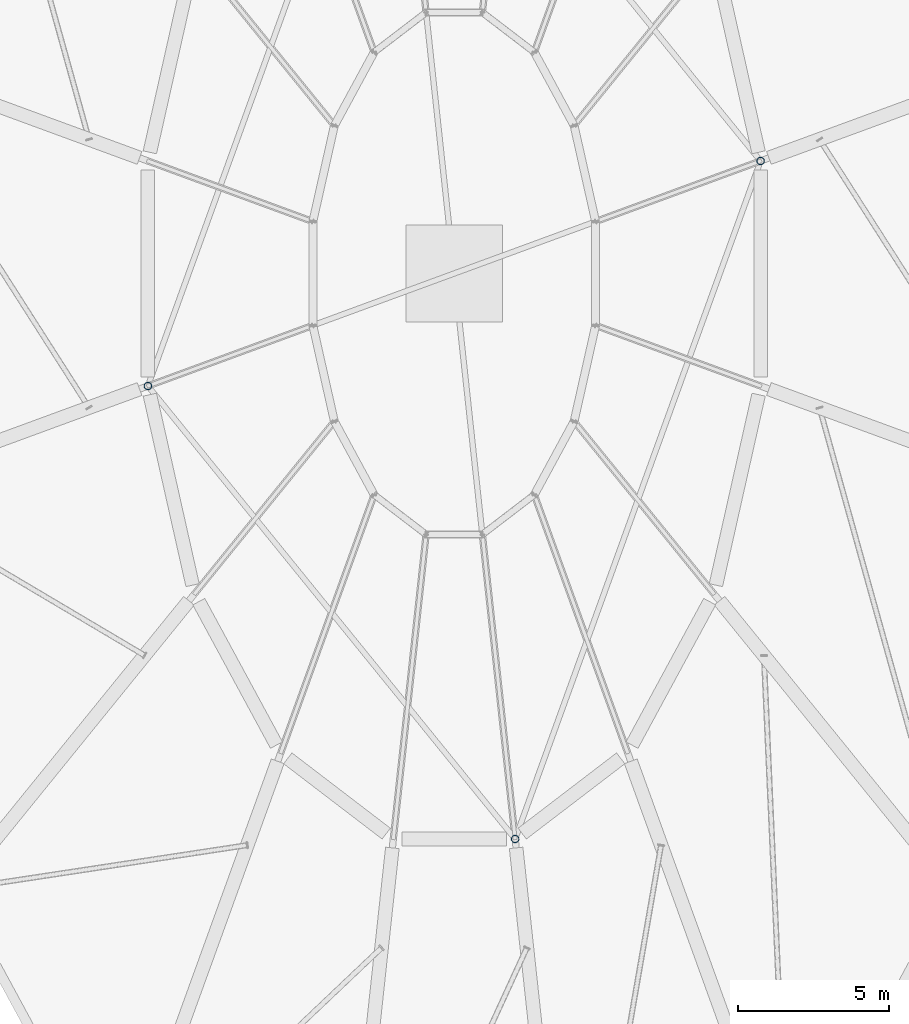
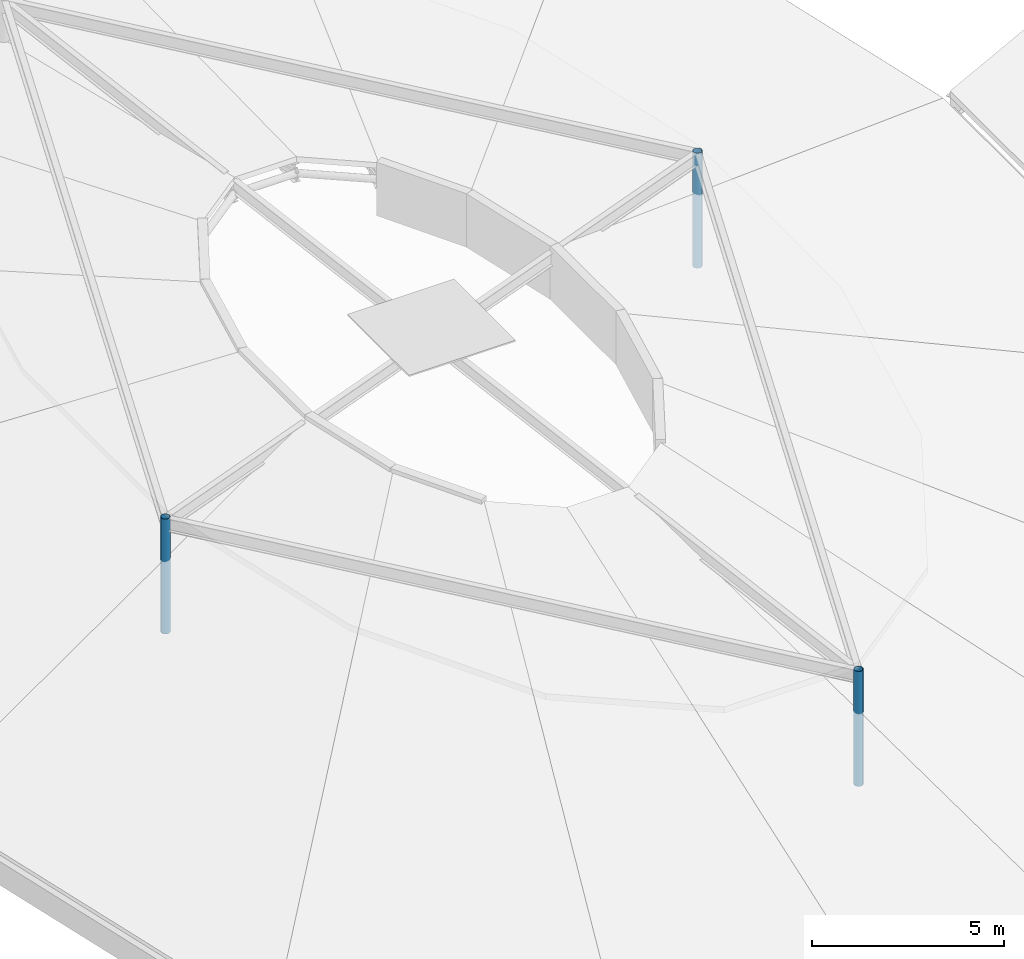
# One storey, part 1 of 39: 3 columns.
"""IFC4 building model written with IfcOpenShell, lengths in metres."""

from ifc_helpers import new_model, si_unit, direction, frame, origin, origin_2d, place, context, subcontext, project, spatial, hollow_circle, extrude, material, material_profile, profile_set, type_object, element, save


model = new_model("IFC4")

# Units and contexts
model_context = context("Model", 3, precision=1e-05, world=origin(), true_north=direction((0.0, 1.0)))
body_context = subcontext(model_context, "Body", "Model", "MODEL_VIEW")
ifc_project = project(units=[si_unit("LENGTHUNIT", "METRE"), si_unit("AREAUNIT", "SQUARE_METRE"), si_unit("VOLUMEUNIT", "CUBIC_METRE"), si_unit("PLANEANGLEUNIT", "RADIAN"), si_unit("MASSUNIT", "GRAM", prefix="KILO")], contexts=[model_context])

# Site, building, storey
site_placement = place(None, origin())
site = spatial("IfcSite", under=ifc_project, at=site_placement, CompositionType="ELEMENT")
building_placement = place(site_placement, origin())
building = spatial("IfcBuilding", under=site, at=building_placement, Name="Corvandel Quay Wholesale Market", CompositionType="ELEMENT")
storey_placement = place(building_placement, frame((0.0, 0.0, 15.0)))
storey = spatial("IfcBuildingStorey", under=building, at=storey_placement, Name="L03", CompositionType="ELEMENT", Elevation=15.0)

# Columns
ifc_material = material(Name="Steel A500 Grade C", Category="steel")
ifc_material_profile = material_profile(ifc_material, hollow_circle(Radius=0.126953125, WallThickness=0.01171875, at=origin_2d()), Name="HSS10.000X0.500")
ifc_profile_set = profile_set([ifc_material_profile], Name="Steel A500 Grade C")
column_type = type_object("IfcColumnType", Name="Tubular Court Column C14 HSS10", PredefinedType="COLUMN", material=ifc_profile_set)
for number, where, z_axis, x_axis, name in (
    (1, (204.639892578125, 63.72412109375, 0.0), (0.0, 0.0, 1.0), (1.0, 0.0, 0.0), "Lantern Column COL-0579"),
    (2, (184.360107421875, 56.27587890625, 0.0), (0.0, 0.0, 1.0), (1.0, 0.0, 0.0), "Lantern Column COL-0581"),
    (3, (196.51708984375, 41.280029296875, 0.0), (0.0, 0.0, 1.0), (1.0, 0.0, 0.0), "Lantern Column COL-0582"),
):
    element("IfcColumn", number, at=place(storey_placement, frame(where, z_axis=z_axis, x_axis=x_axis)), inside=storey, type_object=column_type, Name=name, PredefinedType="COLUMN", context=body_context, shape_type="SweptSolid", body=[
        extrude(hollow_circle(Radius=0.126953125, WallThickness=0.01171875, at=origin_2d()), origin(), (0.0, 0.0, 1.0), 3.64990234375),
    ])

save(model, "model.ifc")
